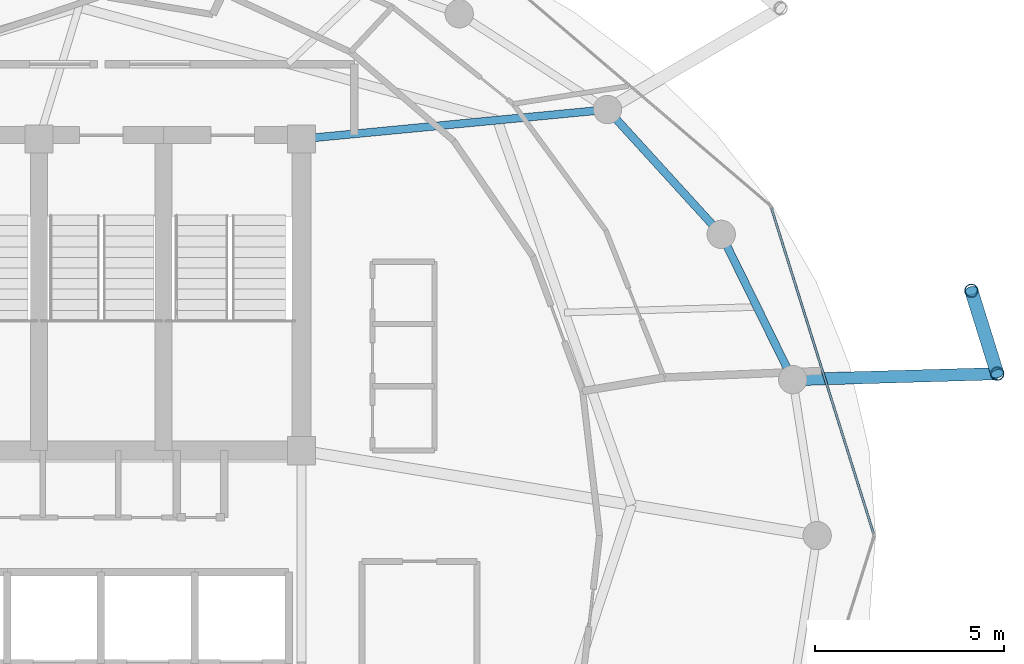
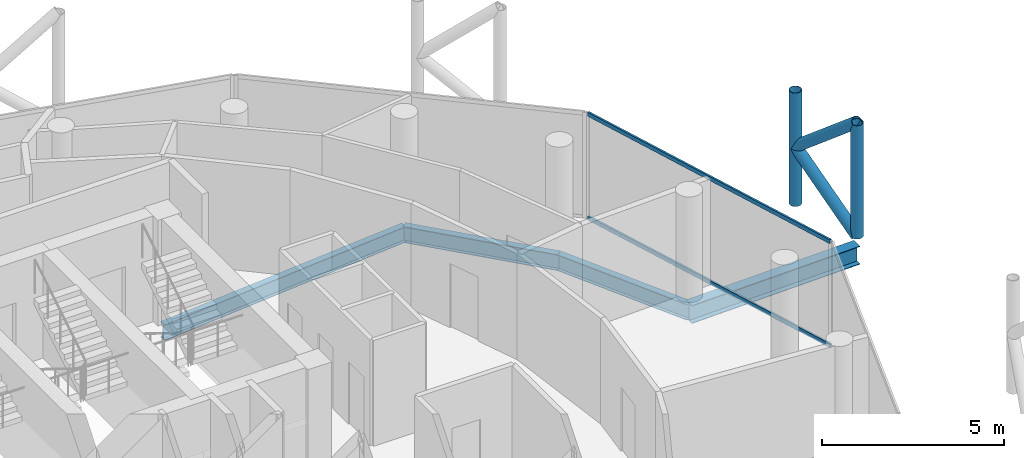
# One storey, part 13 of 24: 6 members, 4 beams, 1 element without a shape of its own.
"""IFC4 building model written with IfcOpenShell, lengths in metres."""

from ifc_helpers import new_model, si_unit, direction, frame, origin, origin_2d, place, context, subcontext, project, spatial, hollow_rectangle, hollow_circle, i_section, extrude, material, layer, layer_set, material_profile, profile_set, type_object, element, aggregate, save


model = new_model("IFC4")

# Units and contexts
model_context = context("Model", 3, precision=1e-05, world=origin(), true_north=direction((0.0, 1.0)))
body_context = subcontext(model_context, "Body", "Model", "MODEL_VIEW")
ifc_project = project(units=[si_unit("LENGTHUNIT", "METRE"), si_unit("AREAUNIT", "SQUARE_METRE"), si_unit("VOLUMEUNIT", "CUBIC_METRE"), si_unit("PLANEANGLEUNIT", "RADIAN"), si_unit("MASSUNIT", "GRAM", prefix="KILO")], contexts=[model_context])

# Site, building, storey
site_placement = place(None, origin())
site = spatial("IfcSite", under=ifc_project, at=site_placement, CompositionType="ELEMENT")
building_placement = place(site_placement, origin())
building = spatial("IfcBuilding", under=site, at=building_placement, Name="Nuhasar Tower", CompositionType="ELEMENT")
storey_placement = place(building_placement, frame((0.0, 0.0, 289.800048828125)))
storey = spatial("IfcBuildingStorey", under=building, at=storey_placement, Name="L72", CompositionType="ELEMENT", Elevation=289.800048828125)

# Beams
ifc_material_1 = material(Name="Steel S355", Category="steel")
ifc_material_profile_1 = material_profile(ifc_material_1, i_section(OverallWidth=0.208984375, OverallDepth=0.528076171875, WebThickness=0.009521484375, FlangeThickness=0.01318359375, at=origin_2d()), Name="W21X55")
ifc_profile_set_1 = profile_set([ifc_material_profile_1], Name="Steel S355")
beam_type_1 = type_object("IfcBeamType", Name="BM-RAD-W21X55", PredefinedType="BEAM", material=ifc_profile_set_1)
beam_1_placement = place(storey_placement, frame((44.300048828125, 37.300048828125, -0.524169921875), z_axis=(0.99542073054, 0.095590633496, 0.0), x_axis=(-0.095590633496, 0.99542073054, 0.0)))
element("IfcBeam", 1, at=beam_1_placement, inside=storey, type_object=beam_type_1, Name="L72 Radial Floor Girder 05", PredefinedType="BEAM", context=body_context, shape_type="SweptSolid", body=[
    extrude(i_section(OverallWidth=0.208984375, OverallDepth=0.528076171875, WebThickness=0.009521484375, FlangeThickness=0.01318359375, at=origin_2d()), origin(), (0.0, 0.0, 1.0), 8.13720703125),
])
ifc_material_profile_2 = material_profile(ifc_material_1, i_section(OverallWidth=0.2099609375, OverallDepth=0.537109375, WebThickness=0.010986328125, FlangeThickness=0.017333984375, at=origin_2d()), Name="W21X68")
ifc_profile_set_2 = profile_set([ifc_material_profile_2], Name="Steel S355")
beam_type_2 = type_object("IfcBeamType", Name="BM-RING-W21X68", PredefinedType="SPANDREL", material=ifc_profile_set_2)
beam_2_placement = place(storey_placement, frame((57.303955078125, 30.927978515625, -0.528076171875), z_axis=(-0.441533119295, 0.897244952377, 0.0), x_axis=(-0.897244952377, -0.441533119295, 0.0)))
element("IfcBeam", 2, at=beam_2_placement, inside=storey, type_object=beam_type_2, Name="L72 Perimeter Ring Spandrel 02", PredefinedType="SPANDREL", context=body_context, shape_type="SweptSolid", body=[
    extrude(i_section(OverallWidth=0.2099609375, OverallDepth=0.537109375, WebThickness=0.010986328125, FlangeThickness=0.017333984375, at=origin_2d()), origin(), (0.0, 0.0, 1.0), 4.28759765625),
])
beam_3_placement = place(storey_placement, frame((55.410888671875, 34.77490234375, -0.528076171875), z_axis=(-0.673686302939, 0.739017432293, 0.0), x_axis=(-0.739017432293, -0.673686302939, 0.0)))
element("IfcBeam", 3, at=beam_3_placement, inside=storey, type_object=beam_type_2, Name="L72 Perimeter Ring Spandrel 03", PredefinedType="SPANDREL", context=body_context, shape_type="SweptSolid", body=[
    extrude(i_section(OverallWidth=0.2099609375, OverallDepth=0.537109375, WebThickness=0.010986328125, FlangeThickness=0.017333984375, at=origin_2d()), origin(), (0.0, 0.0, 1.0), 4.469482421875),
])
ifc_material_profile_3 = material_profile(ifc_material_1, i_section(OverallWidth=0.323974609375, OverallDepth=0.611083984375, WebThickness=0.0126953125, FlangeThickness=0.01904296875, at=origin_2d()), Name="W24X104")
ifc_profile_set_3 = profile_set([ifc_material_profile_3], Name="Steel S355")
beam_type_3 = type_object("IfcBeamType", Name="BM-TIE-W24X104", PredefinedType="BEAM", material=ifc_profile_set_3)
beam_4_placement = place(storey_placement, frame((57.303955078125, 30.927978515625, -0.56494140625), z_axis=(0.999574661214, 0.029163275875, 0.0), x_axis=(-0.029163275875, 0.999574661214, 0.0)))
element("IfcBeam", 4, at=beam_4_placement, inside=storey, type_object=beam_type_3, Name="L72 Exoskeleton Node Tie Beam 01", PredefinedType="BEAM", context=body_context, shape_type="SweptSolid", body=[
    extrude(i_section(OverallWidth=0.323974609375, OverallDepth=0.611083984375, WebThickness=0.0126953125, FlangeThickness=0.01904296875, at=origin_2d()), origin(), (0.0, 0.0, 1.0), 5.416259765625),
])

# Curtain wall, members
ifc_material_2 = material(Name="Aluminium 6063-T6", Category="aluminium")
ifc_layer = layer(ifc_material_2, 0.18994140625)
ifc_layer_set = layer_set([ifc_layer], Name="Aluminium 6063-T6")
curtain_wall_type = type_object("IfcCurtainWallType", Name="CW-Z4-PEN", PredefinedType="NOTDEFINED", material=ifc_layer_set)
curtain_wall_placement = place(storey_placement, origin())
curtain_wall = element("IfcCurtainWall", 5, at=curtain_wall_placement, inside=storey, type_object=curtain_wall_type, Name="L72 Unitised Curtain Wall 01", PredefinedType="NOTDEFINED")
ifc_material_profile_4 = material_profile(ifc_material_2, hollow_rectangle(XDim=0.06005859375, YDim=0.135009765625, WallThickness=0.00439453125, at=origin_2d()), Name="CWT-5")
ifc_profile_set_4 = profile_set([ifc_material_profile_4], Name="Aluminium 6063-T6")
member_type_1 = type_object("IfcMemberType", Name="CW-TRN-S5", PredefinedType="USERDEFINED", material=ifc_profile_set_4)
member_1_placement = place(storey_placement, frame((59.442138671875, 26.857177734375, 0.030029296875), z_axis=(-0.29956014073, 0.954077419335, 0.0), x_axis=(-0.954077419335, -0.29956014073, 0.0)))
member_1 = element("IfcMember", 6, at=member_1_placement, type_object=member_type_1, Name="CW-Z4 transom 1.1", ObjectType="TRANSOM", PredefinedType="USERDEFINED", context=body_context, shape_type="SweptSolid", body=[
    extrude(hollow_rectangle(XDim=0.06005859375, YDim=0.135009765625, WallThickness=0.00439453125, at=origin_2d()), origin(), (0.0, 0.0, 1.0), 9.0302734375),
])
member_2_placement = place(storey_placement, frame((59.442138671875, 26.857177734375, 3.510009765625), z_axis=(-0.29956014073, 0.954077419335, 0.0), x_axis=(-0.954077419335, -0.29956014073, 0.0)))
member_2 = element("IfcMember", 7, at=member_2_placement, type_object=member_type_1, Name="CW-Z4 transom 1.2", ObjectType="TRANSOM", PredefinedType="USERDEFINED", context=body_context, shape_type="SweptSolid", body=[
    extrude(hollow_rectangle(XDim=0.06005859375, YDim=0.135009765625, WallThickness=0.00439453125, at=origin_2d()), origin(), (0.0, 0.0, 1.0), 9.0302734375),
])
aggregate(curtain_wall, [member_1, member_2])

# Members
ifc_material_3 = material(Name="Steel S460", Category="steel")
ifc_material_profile_5 = material_profile(ifc_material_3, hollow_circle(Radius=0.177734375, WallThickness=0.015869140625, at=origin_2d()), Name="HSS355.6X15.9")
ifc_profile_set_5 = profile_set([ifc_material_profile_5], Name="Steel S460")
member_type_2 = type_object("IfcMemberType", Name="EXO-BRONZE-356", PredefinedType="BRACE", material=ifc_profile_set_5)
for number, where, z_axis, x_axis, name in (
    (8, (62.718017578125, 31.0859375, 0.0), (0.0, 0.0, 1.0), (1.0, 0.0, 0.0), "L72 Exoskeleton Chord Column EC-01A"),
    (9, (62.032958984375, 33.281005859375, 0.0), (0.0, 0.0, 1.0), (1.0, 0.0, 0.0), "L72 Exoskeleton Chord Column EC-01B"),
):
    element("IfcMember", number, at=place(storey_placement, frame(where, z_axis=z_axis, x_axis=x_axis)), inside=storey, type_object=member_type_2, Name=name, PredefinedType="BRACE", context=body_context, shape_type="SweptSolid", body=[
        extrude(hollow_circle(Radius=0.177734375, WallThickness=0.015869140625, at=origin_2d()), origin(), (0.0, 0.0, 1.0), 3.800048828125),
    ])
for number, where, z_axis, x_axis, name in (
    (10, (62.718017578125, 31.0859375, 0.0), (-0.229667527485, 0.735901902929, 0.636946792192), (-0.954591372974, -0.297918295247, 0.0), "L72 Bronze Diagrid Brace W1-01"),
    (11, (62.032958984375, 33.281005859375, 1.89990234375), (0.22965555433, -0.735863538482, 0.636995430987), (0.954591372974, 0.297918295247, 0.0), "L72 Bronze Diagrid Brace W2-01"),
):
    element("IfcMember", number, at=place(storey_placement, frame(where, z_axis=z_axis, x_axis=x_axis)), inside=storey, type_object=member_type_2, Name=name, PredefinedType="BRACE", context=body_context, shape_type="SweptSolid", body=[
        extrude(hollow_circle(Radius=0.177734375, WallThickness=0.015869140625, at=origin_2d()), origin(), (0.0, 0.0, 1.0), 2.98291015625),
    ])

save(model, "model.ifc")
